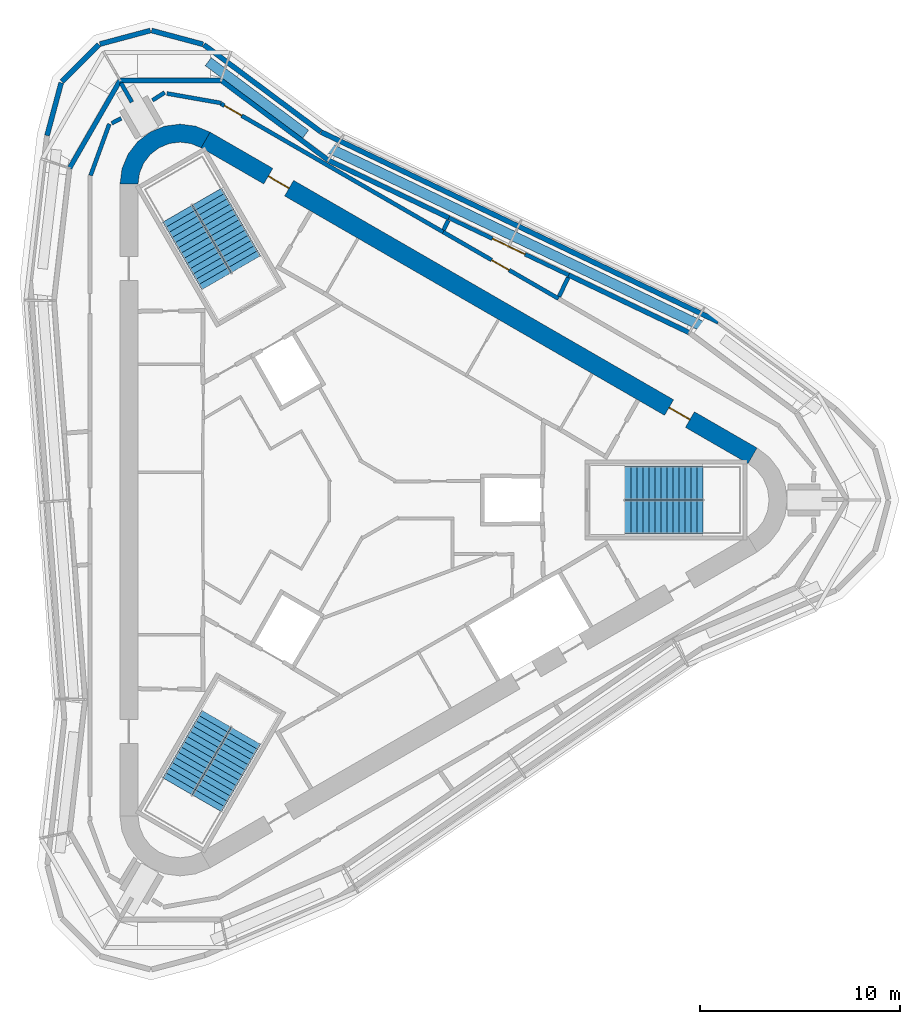
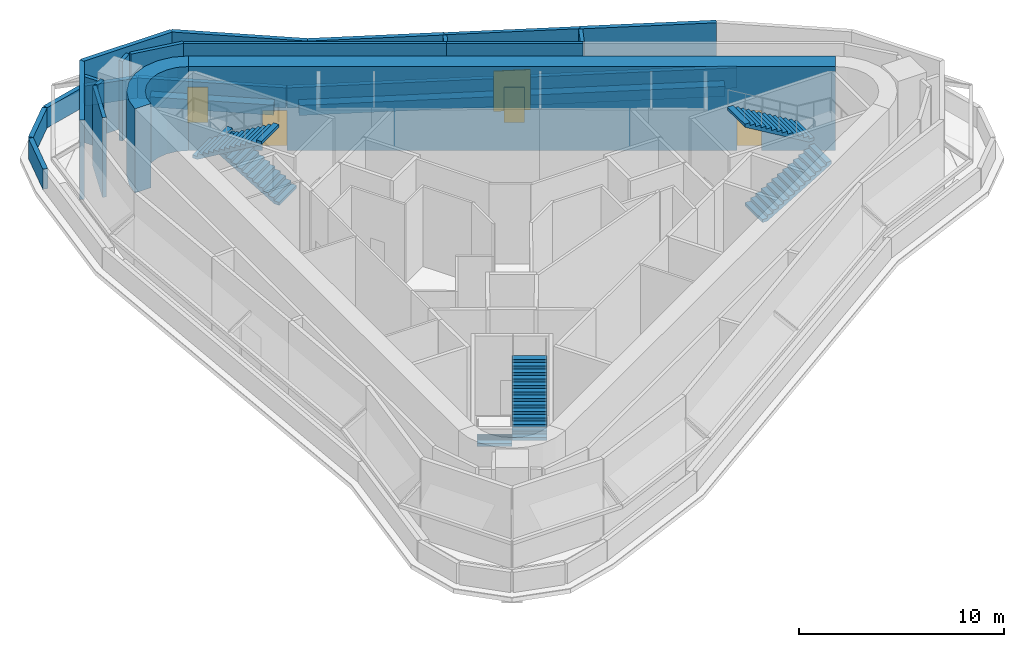
# One storey, part 6 of 7: 25 walls, 6 stair flights, 5 doors, 5 openings, 3 elements without a shape of their own.
"""IFC4 building model written with IfcOpenShell, lengths in metres."""

from ifc_helpers import new_model, si_unit, direction, frame, frame_2d, origin, place, context, subcontext, project, spatial, polyline, rectangle, outline, extrude, material, layer, layer_set, type_object, element, fill, aggregate, save


model = new_model("IFC4")

# Units and contexts
model_context = context("Model", 3, precision=1e-05, world=origin(), true_north=direction((0.0, 1.0)))
body_context = subcontext(model_context, "Body", "Model", "MODEL_VIEW")
ifc_project = project(units=[si_unit("LENGTHUNIT", "METRE"), si_unit("AREAUNIT", "SQUARE_METRE"), si_unit("VOLUMEUNIT", "CUBIC_METRE"), si_unit("PLANEANGLEUNIT", "RADIAN"), si_unit("MASSUNIT", "GRAM", prefix="KILO")], contexts=[model_context])

# Site, building, storey
site_placement = place(None, origin())
site = spatial("IfcSite", under=ifc_project, at=site_placement, CompositionType="ELEMENT")
building_placement = place(site_placement, origin())
building = spatial("IfcBuilding", under=site, at=building_placement, Name="Tanit Gate Tower", CompositionType="ELEMENT")
storey_placement = place(building_placement, frame((0.0, 0.0, 425.300048828125)))
storey = spatial("IfcBuildingStorey", under=building, at=storey_placement, Name="L96", CompositionType="ELEMENT", Elevation=425.300048828125)

# Wall, openings, doors
ifc_material_1 = material(Name="Concrete C40/50", Category="concrete")
ifc_layer_1 = layer(ifc_material_1, 0.89990234375)
ifc_layer_set_1 = layer_set([ifc_layer_1], Name="CORE WALL 900 C40/50")
wall_type_1 = type_object("IfcWallType", Name="CORE WALL 900 C40/50", PredefinedType="SHEAR", material=ifc_layer_set_1)
wall_1_placement = place(storey_placement, frame((19.47509765625, 2.20849609375, 0.0), z_axis=(0.0, 0.0, 1.0), x_axis=(-0.866028369851, 0.499994862586, 0.0)))
wall_1 = element("IfcWall", 1, at=wall_1_placement, inside=storey, type_object=wall_type_1, Name="CORE WALL", PredefinedType="SHEAR", context=body_context, shape_type="SweptSolid", body=[
    extrude(rectangle(XDim=31.523193359375, YDim=0.89990234375, at=frame_2d((15.76171875, 0.0))), origin(), (0.0, 0.0, 1.0), 5.0),
])
opening_1_placement = place(wall_1_placement, frame((3.611572265625, 0.0, 0.0)))
opening_1 = element("IfcOpeningElement", 2, at=opening_1_placement, cuts=wall_1, Name="Opening F12-96-FL1", PredefinedType="OPENING", context=body_context, shape_type="SweptSolid", body=[
    extrude(rectangle(XDim=1.199951171875, YDim=2.39990234375, at=frame_2d((0.60009765625, 1.199951171875))), frame((0.0, 0.4599609375, 0.0), z_axis=(0.0, -1.0, 0.0), x_axis=(1.0, 0.0, 0.0)), (0.0, 0.0, 1.0), 0.919921875),
])
opening_2_placement = place(wall_1_placement, frame((26.711669921875, 0.0, 0.0)))
opening_2 = element("IfcOpeningElement", 3, at=opening_2_placement, cuts=wall_1, Name="Opening F12-96-S2", PredefinedType="OPENING", context=body_context, shape_type="SweptSolid", body=[
    extrude(rectangle(XDim=1.199951171875, YDim=2.39990234375, at=frame_2d((0.60009765625, 1.199951171875))), frame((0.0, 0.4599609375, 0.0), z_axis=(0.0, -1.0, 0.0), x_axis=(1.0, 0.0, 0.0)), (0.0, 0.0, 1.0), 0.919921875),
])
ifc_material_2 = material(Name="Fire-rated steel door leaf", Category="steel")
door_type_1 = type_object("IfcDoorType", Name="INT-DOOR-FIRE-LOBBY-1200", OperationType="NOTDEFINED", PredefinedType="USERDEFINED", material=ifc_material_2)
door_1_placement = place(opening_1_placement, origin())
door_1 = element("IfcDoor", 4, at=door_1_placement, inside=storey, type_object=door_type_1, Name="Door F12-96-FL1", ObjectType="FIRE DOOR", OperationType="SINGLE_SWING_RIGHT", OverallHeight=2.39990234375, OverallWidth=1.199951171875, PredefinedType="USERDEFINED", context=body_context, shape_type="SweptSolid", body=[
    extrude(rectangle(XDim=1.199951171875, YDim=2.39990234375, at=frame_2d((0.60009765625, 1.199951171875))), frame((0.0, 0.02490234375, 0.0), z_axis=(0.0, -1.0, 0.0), x_axis=(1.0, 0.0, 0.0)), (0.0, 0.0, 1.0), 0.050048828125),
])
fill(opening_1, door_1)
door_2_placement = place(opening_2_placement, origin())
door_2 = element("IfcDoor", 5, at=door_2_placement, inside=storey, type_object=door_type_1, Name="Door F12-96-S2", ObjectType="FIRE DOOR", OperationType="SINGLE_SWING_LEFT", OverallHeight=2.39990234375, OverallWidth=1.199951171875, PredefinedType="USERDEFINED", context=body_context, shape_type="SweptSolid", body=[
    extrude(rectangle(XDim=1.199951171875, YDim=2.39990234375, at=frame_2d((0.60009765625, 1.199951171875))), frame((0.0, 0.02490234375, 0.0), z_axis=(0.0, -1.0, 0.0), x_axis=(1.0, 0.0, 0.0)), (0.0, 0.0, 1.0), 0.050048828125),
])
fill(opening_2, door_2)

# Wall
wall_2_placement = place(storey_placement, origin())
element("IfcWall", 6, at=wall_2_placement, inside=storey, type_object=wall_type_1, Name="CORE WALL CORNER", PredefinedType="SHEAR", context=body_context, shape_type="SweptSolid", body=[
    extrude(outline(polyline([(-7.60009765625, 18.359619140625), (-8.323486328125, 18.659423828125), (-9.10009765625, 18.76171875), (-9.87646484375, 18.659423828125), (-10.60009765625, 18.359619140625), (-11.22119140625, 17.883056640625), (-11.697998046875, 17.26171875), (-11.997802734375, 16.5380859375), (-12.10009765625, 15.76171875), (-11.199951171875, 15.76171875), (-11.12841796875, 16.30517578125), (-10.918701171875, 16.811767578125), (-10.5849609375, 17.24658203125), (-10.14990234375, 17.580322265625), (-9.6435546875, 17.7900390625), (-9.10009765625, 17.86181640625), (-8.556396484375, 17.7900390625), (-8.050048828125, 17.580322265625), (-7.60009765625, 18.359619140625)])), origin(), (0.0, 0.0, 1.0), 5.0),
])

# Wall, opening, door
ifc_material_3 = material(Name="Concrete C30/37 rendered", Category="concrete")
ifc_layer_2 = layer(ifc_material_3, 0.199951171875)
ifc_layer_set_2 = layer_set([ifc_layer_2], Name="Facade wall 200 rendered")
wall_type_2 = type_object("IfcWallType", Name="Facade wall 200 rendered", PredefinedType="SOLIDWALL", material=ifc_layer_set_2)
wall_3_placement = place(storey_placement, frame((10.29541015625, 11.22802734375, 0.0), z_axis=(0.0, 0.0, 1.0), x_axis=(-0.902319256172, 0.431068393577, 0.0)))
wall_3 = element("IfcWall", 7, at=wall_3_placement, inside=storey, type_object=wall_type_2, Name="Facade wall L96 NE2.2", PredefinedType="SOLIDWALL", context=body_context, shape_type="SweptSolid", body=[
    extrude(rectangle(XDim=6.628662109375, YDim=0.199951171875, at=frame_2d((3.314453125, 0.0))), origin(), (0.0, 0.0, 1.0), 4.75),
])
opening_3_placement = place(wall_3_placement, frame((2.414306640625, 0.0, 0.0)))
opening_3 = element("IfcOpeningElement", 8, at=opening_3_placement, cuts=wall_3, Name="Opening D2", PredefinedType="OPENING", context=body_context, shape_type="SweptSolid", body=[
    extrude(rectangle(XDim=1.800048828125, YDim=2.39990234375, at=frame_2d((0.89990234375, 1.199951171875))), frame((0.0, 0.10986328125, 0.0), z_axis=(0.0, -1.0, 0.0), x_axis=(1.0, 0.0, 0.0)), (0.0, 0.0, 1.0), 0.219970703125),
])
ifc_material_4 = material(Name="Aluminium bronze anodised and glass", Category="aluminium")
door_type_2 = type_object("IfcDoorType", Name="Terrace door double 1800x2400", OperationType="DOUBLE_DOOR_SINGLE_SWING", PredefinedType="DOOR", material=ifc_material_4)
door_3_placement = place(opening_3_placement, frame((1.800048828125, 0.0, 0.0), z_axis=(0.0, 0.0, 1.0), x_axis=(-1.0, 0.0, 0.0)))
door_3 = element("IfcDoor", 9, at=door_3_placement, inside=storey, type_object=door_type_2, Name="Terrace door", OperationType="SINGLE_SWING_RIGHT", OverallHeight=2.39990234375, OverallWidth=1.800048828125, PredefinedType="DOOR", context=body_context, shape_type="SweptSolid", body=[
    extrude(rectangle(XDim=1.800048828125, YDim=2.39990234375, at=frame_2d((0.89990234375, 1.199951171875))), frame((0.0, 0.02490234375, 0.0), z_axis=(0.0, -1.0, 0.0), x_axis=(1.0, 0.0, 0.0)), (0.0, 0.0, 1.0), 0.050048828125),
])
fill(opening_3, door_3)

# Walls
ifc_material_5 = material(Name="Concrete C30/37 with bronze anodised aluminium cladding", Category="concrete")
ifc_layer_3 = layer(ifc_material_5, 0.239990234375)
ifc_layer_set_3 = layer_set([ifc_layer_3], Name="Facade wall bronze clad 240")
wall_type_3 = type_object("IfcWallType", Name="Facade wall bronze clad 240", PredefinedType="SOLIDWALL", material=ifc_layer_set_3)
wall_4_placement = place(storey_placement, frame((16.3125, 8.353271484375, 0.0), z_axis=(0.0, 0.0, 1.0), x_axis=(-0.902308246331, 0.431091438795, 0.0)))
element("IfcWall", 10, at=wall_4_placement, inside=storey, type_object=wall_type_3, Name="Bronze-clad facade wall L96 NE2a", PredefinedType="SOLIDWALL", context=body_context, shape_type="SweptSolid", body=[
    extrude(rectangle(XDim=6.66845703125, YDim=0.239990234375, at=frame_2d((3.334228515625, 0.0))), origin(), (0.0, 0.0, 1.0), 4.75),
])
wall_5_placement = place(storey_placement, frame((4.314208984375, 14.08544921875, 0.0), z_axis=(0.0, 0.0, 1.0), x_axis=(-0.902315049727, 0.431077198464, 0.0)))
element("IfcWall", 11, at=wall_5_placement, inside=storey, type_object=wall_type_3, Name="Bronze-clad facade wall L96 NE2b", PredefinedType="SOLIDWALL", context=body_context, shape_type="SweptSolid", body=[
    extrude(rectangle(XDim=6.668701171875, YDim=0.239990234375, at=frame_2d((3.33447265625, 0.0))), origin(), (0.0, 0.0, 1.0), 4.75),
])
wall_6_placement = place(storey_placement, frame((-1.703125, 16.960205078125, 0.0), z_axis=(0.0, 0.0, 1.0), x_axis=(-0.801994232546, 0.597331776288, 0.0)))
element("IfcWall", 12, at=wall_6_placement, inside=storey, type_object=wall_type_3, Name="Bronze-clad facade wall L96 NE3", PredefinedType="SOLIDWALL", context=body_context, shape_type="SweptSolid", body=[
    extrude(rectangle(XDim=6.66943359375, YDim=0.239990234375, at=frame_2d((3.334716796875, 0.0))), origin(), (0.0, 0.0, 1.0), 4.75),
])
wall_7_placement = place(storey_placement, frame((-7.052001953125, 20.944091796875, 0.0), z_axis=(0.0, 0.0, 1.0), x_axis=(-0.999999905024, 0.00043583531, 0.0)))
element("IfcWall", 13, at=wall_7_placement, inside=storey, type_object=wall_type_3, Name="Bronze-clad facade wall L96 NW.arc1", PredefinedType="SOLIDWALL", context=body_context, shape_type="SweptSolid", body=[
    extrude(rectangle(XDim=5.04150390625, YDim=0.239990234375, at=frame_2d((2.520751953125, 0.0))), origin(), (0.0, 0.0, 1.0), 4.75),
])
wall_8_placement = place(storey_placement, frame((-12.093505859375, 20.9462890625, 0.0), z_axis=(0.0, 0.0, 1.0), x_axis=(-0.498950155725, -0.866630683799, 0.0)))
element("IfcWall", 14, at=wall_8_placement, inside=storey, type_object=wall_type_3, Name="Bronze-clad facade wall L96 NW.arc2", PredefinedType="SOLIDWALL", context=body_context, shape_type="SweptSolid", body=[
    extrude(rectangle(XDim=5.054931640625, YDim=0.239990234375, at=frame_2d((2.52734375, 0.0))), origin(), (0.0, 0.0, 1.0), 4.75),
])
ifc_material_6 = material(Name="Fire-rated gypsum board partition")
ifc_layer_4 = layer(ifc_material_6, 0.199951171875)
ifc_layer_set_4 = layer_set([ifc_layer_4], Name="INT-WALL-COMPARTMENT")
wall_type_4 = type_object("IfcWallType", Name="INT-WALL-COMPARTMENT", PredefinedType="PARTITIONING", material=ifc_layer_set_4)
wall_9_placement = place(storey_placement, frame((-12.6298828125, 18.771240234375, 0.0), z_axis=(0.0, 0.0, 1.0), x_axis=(-0.342015224264, -0.939694411163, 0.0)))
element("IfcWall", 15, at=wall_9_placement, inside=storey, type_object=wall_type_4, Name="Wall Compartment W091", PredefinedType="PARTITIONING", context=body_context, shape_type="SweptSolid", body=[
    extrude(rectangle(XDim=2.73681640625, YDim=0.199951171875, at=frame_2d((1.368408203125, 0.0))), origin(), (0.0, 0.0, 1.0), 4.75),
])
wall_10_placement = place(storey_placement, frame((-12.03759765625, 19.049560546875, 0.0), z_axis=(0.0, 0.0, 1.0), x_axis=(-0.887186880255, -0.461410272429, 0.0)))
element("IfcWall", 16, at=wall_10_placement, inside=storey, type_object=wall_type_4, Name="Wall Compartment W092", PredefinedType="PARTITIONING", context=body_context, shape_type="SweptSolid", body=[
    extrude(rectangle(XDim=0.534423828125, YDim=0.199951171875, at=frame_2d((0.26708984375, 0.0))), origin(), (0.0, 0.0, 1.0), 4.75),
])
wall_11_placement = place(storey_placement, frame((-11.50146484375, 19.861083984375, 0.0), z_axis=(0.0, 0.0, 1.0), x_axis=(-0.500107244371, 0.865963477364, 0.0)))
element("IfcWall", 17, at=wall_11_placement, inside=storey, type_object=wall_type_4, Name="Wall Compartment W099", PredefinedType="PARTITIONING", context=body_context, shape_type="SweptSolid", body=[
    extrude(rectangle(XDim=1.098388671875, YDim=0.199951171875, at=frame_2d((0.54931640625, 0.0))), origin(), (0.0, 0.0, 1.0), 3.929931640625),
])

# Wall, opening, door
wall_12_placement = place(storey_placement, frame((9.792236328125, 10.05029296875, 0.0), z_axis=(0.0, 0.0, 1.0), x_axis=(-0.866022320763, 0.500005339912, 0.0)))
wall_12 = element("IfcWall", 18, at=wall_12_placement, inside=storey, type_object=wall_type_4, Name="Wall Compartment W105", PredefinedType="PARTITIONING", context=body_context, shape_type="SweptSolid", body=[
    extrude(rectangle(XDim=6.64892578125, YDim=0.199951171875, at=frame_2d((3.324462890625, 0.0))), origin(), (0.0, 0.0, 1.0), 4.75),
])
opening_4_placement = place(wall_12_placement, frame((2.856201171875, 0.0, 0.0)))
opening_4 = element("IfcOpeningElement", 19, at=opening_4_placement, cuts=wall_12, Name="Opening F10-96-28", PredefinedType="OPENING", context=body_context, shape_type="SweptSolid", body=[
    extrude(rectangle(XDim=1.0, YDim=2.10009765625, at=frame_2d((0.5, 1.050048828125))), frame((0.0, 0.10986328125, 0.0), z_axis=(0.0, -1.0, 0.0), x_axis=(1.0, 0.0, 0.0)), (0.0, 0.0, 1.0), 0.219970703125),
])
ifc_material_7 = material(Name="Fire-rated steel door leaf", Category="steel")
door_type_3 = type_object("IfcDoorType", Name="INT-DOOR-FIRE-1000", OperationType="NOTDEFINED", PredefinedType="USERDEFINED", material=ifc_material_7)
door_4_placement = place(opening_4_placement, origin())
door_4 = element("IfcDoor", 20, at=door_4_placement, inside=storey, type_object=door_type_3, Name="Door F10-96-28", ObjectType="FIRE DOOR", OperationType="SINGLE_SWING_LEFT", OverallHeight=2.10009765625, OverallWidth=1.0, PredefinedType="USERDEFINED", context=body_context, shape_type="SweptSolid", body=[
    extrude(rectangle(XDim=1.0, YDim=2.10009765625, at=frame_2d((0.5, 1.050048828125))), frame((0.0, 0.02490234375, 0.0), z_axis=(0.0, -1.0, 0.0), x_axis=(1.0, 0.0, 0.0)), (0.0, 0.0, 1.0), 0.050048828125),
])
fill(opening_4, door_4)

wall_13_placement = place(storey_placement, frame((4.0341796875, 13.374755859375, 0.0), z_axis=(0.0, 0.0, 1.0), x_axis=(-0.866024064453, 0.500002319783, 0.0)))
wall_13 = element("IfcWall", 21, at=wall_13_placement, inside=storey, type_object=wall_type_4, Name="Wall Compartment W108", PredefinedType="PARTITIONING", context=body_context, shape_type="SweptSolid", body=[
    extrude(rectangle(XDim=12.81201171875, YDim=0.199951171875, at=frame_2d((6.406005859375, 0.0))), origin(), (0.0, 0.0, 1.0), 4.75),
])
opening_5_placement = place(wall_13_placement, frame((11.61181640625, 0.0, 0.0)))
opening_5 = element("IfcOpeningElement", 22, at=opening_5_placement, cuts=wall_13, Name="Opening F10-96-29", PredefinedType="OPENING", context=body_context, shape_type="SweptSolid", body=[
    extrude(rectangle(XDim=1.0, YDim=2.10009765625, at=frame_2d((0.5, 1.050048828125))), frame((0.0, 0.10986328125, 0.0), z_axis=(0.0, -1.0, 0.0), x_axis=(1.0, 0.0, 0.0)), (0.0, 0.0, 1.0), 0.219970703125),
])
door_5_placement = place(opening_5_placement, origin())
door_5 = element("IfcDoor", 23, at=door_5_placement, inside=storey, type_object=door_type_3, Name="Door F10-96-29", ObjectType="FIRE DOOR", OperationType="SINGLE_SWING_RIGHT", OverallHeight=2.10009765625, OverallWidth=1.0, PredefinedType="USERDEFINED", context=body_context, shape_type="SweptSolid", body=[
    extrude(rectangle(XDim=1.0, YDim=2.10009765625, at=frame_2d((0.5, 1.050048828125))), frame((0.0, 0.02490234375, 0.0), z_axis=(0.0, -1.0, 0.0), x_axis=(1.0, 0.0, 0.0)), (0.0, 0.0, 1.0), 0.050048828125),
])
fill(opening_5, door_5)

# Walls
wall_14_placement = place(storey_placement, frame((-9.870361328125, 20.33740234375, 0.0), z_axis=(0.0, 0.0, 1.0), x_axis=(-0.843326891705, -0.537400924569, 0.0)))
element("IfcWall", 24, at=wall_14_placement, inside=storey, type_object=wall_type_4, Name="Wall Compartment W106", PredefinedType="PARTITIONING", context=body_context, shape_type="SweptSolid", body=[
    extrude(rectangle(XDim=0.721435546875, YDim=0.199951171875, at=frame_2d((0.36083984375, 0.0))), origin(), (0.0, 0.0, 1.0), 4.75),
])
wall_15_placement = place(storey_placement, frame((-7.04931640625, 19.813232421875, 0.0), z_axis=(0.0, 0.0, 1.0), x_axis=(-0.984805002764, 0.173663774378, 0.0)))
element("IfcWall", 25, at=wall_15_placement, inside=storey, type_object=wall_type_4, Name="Wall Compartment W107", PredefinedType="PARTITIONING", context=body_context, shape_type="SweptSolid", body=[
    extrude(rectangle(XDim=2.749755859375, YDim=0.199951171875, at=frame_2d((1.375, 0.0))), origin(), (0.0, 0.0, 1.0), 4.75),
])
wall_16_placement = place(storey_placement, frame((10.2685546875, 11.102294921875, 0.0), z_axis=(0.0, 0.0, 1.0), x_axis=(-0.431274891071, -0.902220576318, 0.0)))
element("IfcWall", 26, at=wall_16_placement, inside=storey, type_object=wall_type_4, Name="Wall Compartment W109", PredefinedType="PARTITIONING", context=body_context, shape_type="SweptSolid", body=[
    extrude(rectangle(XDim=1.05224609375, YDim=0.199951171875, at=frame_2d((0.526123046875, 0.0))), origin(), (0.0, 0.0, 1.0), 4.75),
])
wall_17_placement = place(storey_placement, frame((4.056640625, 13.477294921875, 0.0), z_axis=(0.0, 0.0, 1.0), x_axis=(0.431439342404, 0.902141947714, 0.0)))
element("IfcWall", 27, at=wall_17_placement, inside=storey, type_object=wall_type_4, Name="Wall Compartment W111", PredefinedType="PARTITIONING", context=body_context, shape_type="SweptSolid", body=[
    extrude(rectangle(XDim=0.53466796875, YDim=0.199951171875, at=frame_2d((0.267333984375, 0.0))), origin(), (0.0, 0.0, 1.0), 4.75),
])
ifc_material_8 = material(Name="Concrete C30/37", Category="concrete")
ifc_layer_5 = layer(ifc_material_8, 0.25)
ifc_layer_set_5 = layer_set([ifc_layer_5], Name="Parapet wall 250")
wall_type_5 = type_object("IfcWallType", Name="Parapet wall 250", PredefinedType="PARAPET", material=ifc_layer_set_5)
wall_18_placement = place(storey_placement, frame((-15.7392578125, 18.191162109375, 0.0400390625), z_axis=(0.0, 0.0, 1.0), x_axis=(0.2587987075, 0.965931275504, 0.0)))
element("IfcWall", 28, at=wall_18_placement, inside=storey, type_object=wall_type_5, Name="Terrace parapet L96 15", PredefinedType="PARAPET", context=body_context, shape_type="SweptSolid", body=[
    extrude(rectangle(XDim=2.728271484375, YDim=0.25, at=frame_2d((1.3642578125, 0.0))), origin(), (0.0, 0.0, 1.0), 1.199951171875),
])
wall_19_placement = place(storey_placement, frame((-15.000732421875, 20.882568359375, 0.0400390625), z_axis=(0.0, 0.0, 1.0), x_axis=(0.707106781187, 0.707106781187, 0.0)))
element("IfcWall", 29, at=wall_19_placement, inside=storey, type_object=wall_type_5, Name="Terrace parapet L96 16", PredefinedType="PARAPET", context=body_context, shape_type="SweptSolid", body=[
    extrude(rectangle(XDim=2.60595703125, YDim=0.25, at=frame_2d((1.302978515625, 0.0))), origin(), (0.0, 0.0, 1.0), 1.199951171875),
])
wall_20_placement = place(storey_placement, frame((-13.101806640625, 22.7578125, 0.0400390625), z_axis=(0.0, 0.0, 1.0), x_axis=(0.965921707186, 0.258834417317, 0.0)))
element("IfcWall", 30, at=wall_20_placement, inside=storey, type_object=wall_type_5, Name="Terrace parapet L96 17", PredefinedType="PARAPET", context=body_context, shape_type="SweptSolid", body=[
    extrude(rectangle(XDim=2.606201171875, YDim=0.25, at=frame_2d((1.30322265625, 0.0))), origin(), (0.0, 0.0, 1.0), 1.199951171875),
])
wall_21_placement = place(storey_placement, frame((-10.519775390625, 23.432373046875, 0.0400390625), z_axis=(0.0, 0.0, 1.0), x_axis=(0.965919719913, -0.258841833333, 0.0)))
element("IfcWall", 31, at=wall_21_placement, inside=storey, type_object=wall_type_5, Name="Terrace parapet L96 18", PredefinedType="PARAPET", context=body_context, shape_type="SweptSolid", body=[
    extrude(rectangle(XDim=2.654296875, YDim=0.25, at=frame_2d((1.3271484375, 0.0))), origin(), (0.0, 0.0, 1.0), 1.199951171875),
])
wall_22_placement = place(storey_placement, frame((-7.913818359375, 22.724853515625, 0.0400390625), z_axis=(0.0, 0.0, 1.0), x_axis=(0.801984295915, -0.597345117253, 0.0)))
element("IfcWall", 32, at=wall_22_placement, inside=storey, type_object=wall_type_5, Name="Terrace parapet L96 19", PredefinedType="PARAPET", context=body_context, shape_type="SweptSolid", body=[
    extrude(rectangle(XDim=7.277587890625, YDim=0.25, at=frame_2d((3.638671875, 0.0))), origin(), (0.0, 0.0, 1.0), 1.199951171875),
])
wall_23_placement = place(storey_placement, frame((-2.056640625, 18.365234375, 0.0400390625), z_axis=(0.0, 0.0, 1.0), x_axis=(0.90231764466, -0.431071766804, 0.0)))
element("IfcWall", 33, at=wall_23_placement, inside=storey, type_object=wall_type_5, Name="Terrace parapet L96 20", PredefinedType="PARAPET", context=body_context, shape_type="SweptSolid", body=[
    extrude(rectangle(XDim=21.974609375, YDim=0.25, at=frame_2d((10.9873046875, 0.0))), origin(), (0.0, 0.0, 1.0), 1.199951171875),
])
ifc_material_9 = material(Name="Concrete C30/37", Category="concrete")
ifc_layer_6 = layer(ifc_material_9, 0.5)
ifc_layer_set_6 = layer_set([ifc_layer_6], Name="Planter box 600")
wall_type_6 = type_object("IfcWallType", Name="Planter box 600", PredefinedType="PARAPET", material=ifc_layer_set_6)
wall_24_placement = place(storey_placement, frame((-7.69580078125, 21.876708984375, 0.0400390625), z_axis=(0.0, 0.0, 1.0), x_axis=(0.801981944101, -0.597348274741, 0.0)))
element("IfcWall", 34, at=wall_24_placement, inside=storey, type_object=wall_type_6, Name="PLANTER", PredefinedType="PARAPET", context=body_context, shape_type="SweptSolid", body=[
    extrude(rectangle(XDim=6.06201171875, YDim=0.5, at=frame_2d((3.031005859375, 0.0))), origin(), (0.0, 0.0, 1.0), 0.599853515625),
])
wall_25_placement = place(storey_placement, frame((-1.8115234375, 17.638671875, 0.0400390625), z_axis=(0.0, 0.0, 1.0), x_axis=(0.902316498724, -0.431074165463, 0.0)))
element("IfcWall", 35, at=wall_25_placement, inside=storey, type_object=wall_type_6, Name="PLANTER", PredefinedType="PARAPET", context=body_context, shape_type="SweptSolid", body=[
    extrude(rectangle(XDim=20.798828125, YDim=0.5, at=frame_2d((10.3994140625, 0.0))), origin(), (0.0, 0.0, 1.0), 0.599853515625),
])

# Stair, stair flights
ifc_material_10 = material(Name="Concrete C40/50", Category="concrete")
stair_type = type_object("IfcStairType", Name="INT-STAIR-EXIT", PredefinedType="HALF_TURN_STAIR", material=ifc_material_10)
stair_1_placement = place(storey_placement, origin())
stair_1 = element("IfcStair", 36, at=stair_1_placement, inside=storey, type_object=stair_type, Name="L96 STAIR S1", PredefinedType="HALF_TURN_STAIR")
ifc_material_11 = material(Name="Concrete C40/50", Category="concrete")
stair_flight_type = type_object("IfcStairFlightType", Name="INT-STAIR-FLIGHT", PredefinedType="STRAIGHT", material=ifc_material_11)
stair_flight_1_placement = place(storey_placement, frame((13.094970703125, -0.8525390625, 0.0), z_axis=(0.0, 0.0, 1.0), x_axis=(1.0, 0.0, 0.0)))
stair_flight_1 = element("IfcStairFlight", 37, at=stair_flight_1_placement, type_object=stair_flight_type, Name="S1 flight 1", NumberOfRisers=14, NumberOfTreads=13, PredefinedType="STRAIGHT", RiserHeight=0.178571429, TreadLength=0.3, context=body_context, shape_type="SweptSolid", body=[
    extrude(outline(polyline([(0.0, 0.0), (0.0, 0.178466796875), (0.300048828125, 0.178466796875), (0.300048828125, 0.357177734375), (0.60009765625, 0.357177734375), (0.60009765625, 0.53564453125), (0.89990234375, 0.53564453125), (0.89990234375, 0.71435546875), (1.199951171875, 0.71435546875), (1.199951171875, 0.892822265625), (1.5, 0.892822265625), (1.5, 1.071533203125), (1.800048828125, 1.071533203125), (1.800048828125, 1.25), (2.10009765625, 1.25), (2.10009765625, 1.428466796875), (2.39990234375, 1.428466796875), (2.39990234375, 1.607177734375), (2.699951171875, 1.607177734375), (2.699951171875, 1.78564453125), (3.0, 1.78564453125), (3.0, 1.96435546875), (3.300048828125, 1.96435546875), (3.300048828125, 2.142822265625), (3.60009765625, 2.142822265625), (3.60009765625, 2.321533203125), (3.89990234375, 2.321533203125), (3.89990234375, 2.5), (3.89990234375, 2.14697265625), (0.29296875, 0.0), (0.0, 0.0)])), frame((0.0, 0.84765625, 0.0), z_axis=(0.0, -1.0, 0.0), x_axis=(1.0, 0.0, 0.0)), (0.0, 0.0, 1.0), 1.695068359375),
])
stair_flight_2_placement = place(storey_placement, frame((16.9951171875, 0.8525390625, 2.5), z_axis=(0.0, 0.0, 1.0), x_axis=(-1.0, 0.0, 0.0)))
stair_flight_2 = element("IfcStairFlight", 38, at=stair_flight_2_placement, type_object=stair_flight_type, Name="S1 flight 2", NumberOfRisers=14, NumberOfTreads=13, PredefinedType="STRAIGHT", RiserHeight=0.178571429, TreadLength=0.3, context=body_context, shape_type="SweptSolid", body=[
    extrude(outline(polyline([(0.0, 0.0), (0.0, 0.178466796875), (0.300048828125, 0.178466796875), (0.300048828125, 0.357177734375), (0.60009765625, 0.357177734375), (0.60009765625, 0.53564453125), (0.89990234375, 0.53564453125), (0.89990234375, 0.71435546875), (1.199951171875, 0.71435546875), (1.199951171875, 0.892822265625), (1.5, 0.892822265625), (1.5, 1.071533203125), (1.800048828125, 1.071533203125), (1.800048828125, 1.25), (2.10009765625, 1.25), (2.10009765625, 1.428466796875), (2.39990234375, 1.428466796875), (2.39990234375, 1.607177734375), (2.699951171875, 1.607177734375), (2.699951171875, 1.78564453125), (3.0, 1.78564453125), (3.0, 1.96435546875), (3.300048828125, 1.96435546875), (3.300048828125, 2.142822265625), (3.60009765625, 2.142822265625), (3.60009765625, 2.321533203125), (3.89990234375, 2.321533203125), (3.89990234375, 2.5), (3.89990234375, 2.14697265625), (0.29296875, 0.0), (0.0, 0.0)])), frame((0.0, 0.84765625, 0.0), z_axis=(0.0, -1.0, 0.0), x_axis=(1.0, 0.0, 0.0)), (0.0, 0.0, 1.0), 1.695068359375),
])
aggregate(stair_1, [stair_flight_1, stair_flight_2])

stair_2_placement = place(storey_placement, origin())
stair_2 = element("IfcStair", 39, at=stair_2_placement, inside=storey, type_object=stair_type, Name="L96 STAIR S2", PredefinedType="HALF_TURN_STAIR")
stair_flight_3_placement = place(storey_placement, frame((-5.808349609375, 11.766357421875, 0.0), z_axis=(0.0, 0.0, 1.0), x_axis=(-0.5, 0.866025403784, 0.0)))
stair_flight_3 = element("IfcStairFlight", 40, at=stair_flight_3_placement, type_object=stair_flight_type, Name="S2 flight 1", NumberOfRisers=14, NumberOfTreads=13, PredefinedType="STRAIGHT", RiserHeight=0.178571429, TreadLength=0.3, context=body_context, shape_type="SweptSolid", body=[
    extrude(outline(polyline([(0.0, 0.0), (0.0, 0.178466796875), (0.300048828125, 0.178466796875), (0.300048828125, 0.357177734375), (0.60009765625, 0.357177734375), (0.60009765625, 0.53564453125), (0.89990234375, 0.53564453125), (0.89990234375, 0.71435546875), (1.199951171875, 0.71435546875), (1.199951171875, 0.892822265625), (1.5, 0.892822265625), (1.5, 1.071533203125), (1.800048828125, 1.071533203125), (1.800048828125, 1.25), (2.10009765625, 1.25), (2.10009765625, 1.428466796875), (2.39990234375, 1.428466796875), (2.39990234375, 1.607177734375), (2.699951171875, 1.607177734375), (2.699951171875, 1.78564453125), (3.0, 1.78564453125), (3.0, 1.96435546875), (3.300048828125, 1.96435546875), (3.300048828125, 2.142822265625), (3.60009765625, 2.142822265625), (3.60009765625, 2.321533203125), (3.89990234375, 2.321533203125), (3.89990234375, 2.5), (3.89990234375, 2.14697265625), (0.29296875, 0.0), (0.0, 0.0)])), frame((0.0, 0.84716796875, 0.0), z_axis=(0.0, -1.0, 0.0), x_axis=(1.0, 0.0, 0.0)), (0.0, 0.0, 1.0), 1.694091796875),
])
stair_flight_4_placement = place(storey_placement, frame((-9.23583984375, 14.290771484375, 2.5), z_axis=(0.0, 0.0, 1.0), x_axis=(0.5, -0.866025403784, 0.0)))
stair_flight_4 = element("IfcStairFlight", 41, at=stair_flight_4_placement, type_object=stair_flight_type, Name="S2 flight 2", NumberOfRisers=14, NumberOfTreads=13, PredefinedType="STRAIGHT", RiserHeight=0.178571429, TreadLength=0.3, context=body_context, shape_type="SweptSolid", body=[
    extrude(outline(polyline([(0.0, 0.0), (0.0, 0.178466796875), (0.300048828125, 0.178466796875), (0.300048828125, 0.357177734375), (0.60009765625, 0.357177734375), (0.60009765625, 0.53564453125), (0.89990234375, 0.53564453125), (0.89990234375, 0.71435546875), (1.199951171875, 0.71435546875), (1.199951171875, 0.892822265625), (1.5, 0.892822265625), (1.5, 1.071533203125), (1.800048828125, 1.071533203125), (1.800048828125, 1.25), (2.10009765625, 1.25), (2.10009765625, 1.428466796875), (2.39990234375, 1.428466796875), (2.39990234375, 1.607177734375), (2.699951171875, 1.607177734375), (2.699951171875, 1.78564453125), (3.0, 1.78564453125), (3.0, 1.96435546875), (3.300048828125, 1.96435546875), (3.300048828125, 2.142822265625), (3.60009765625, 2.142822265625), (3.60009765625, 2.321533203125), (3.89990234375, 2.321533203125), (3.89990234375, 2.5), (3.89990234375, 2.14697265625), (0.29296875, 0.0), (0.0, 0.0)])), frame((0.0, 0.84716796875, 0.0), z_axis=(0.0, -1.0, 0.0), x_axis=(1.0, 0.0, 0.0)), (0.0, 0.0, 1.0), 1.694091796875),
])
aggregate(stair_2, [stair_flight_3, stair_flight_4])

stair_3_placement = place(storey_placement, origin())
stair_3 = element("IfcStair", 42, at=stair_3_placement, inside=storey, type_object=stair_type, Name="L96 STAIR S3", PredefinedType="HALF_TURN_STAIR")
stair_flight_5_placement = place(storey_placement, frame((-7.285888671875, -10.914306640625, 0.0), z_axis=(0.0, 0.0, 1.0), x_axis=(-0.5, -0.866025403784, 0.0)))
stair_flight_5 = element("IfcStairFlight", 43, at=stair_flight_5_placement, type_object=stair_flight_type, Name="S3 flight 1", NumberOfRisers=14, NumberOfTreads=13, PredefinedType="STRAIGHT", RiserHeight=0.178571429, TreadLength=0.3, context=body_context, shape_type="SweptSolid", body=[
    extrude(outline(polyline([(0.0, 0.0), (0.0, 0.178466796875), (0.300048828125, 0.178466796875), (0.300048828125, 0.357177734375), (0.60009765625, 0.357177734375), (0.60009765625, 0.53564453125), (0.89990234375, 0.53564453125), (0.89990234375, 0.71435546875), (1.199951171875, 0.71435546875), (1.199951171875, 0.892822265625), (1.5, 0.892822265625), (1.5, 1.071533203125), (1.800048828125, 1.071533203125), (1.800048828125, 1.25), (2.10009765625, 1.25), (2.10009765625, 1.428466796875), (2.39990234375, 1.428466796875), (2.39990234375, 1.607177734375), (2.699951171875, 1.607177734375), (2.699951171875, 1.78564453125), (3.0, 1.78564453125), (3.0, 1.96435546875), (3.300048828125, 1.96435546875), (3.300048828125, 2.142822265625), (3.60009765625, 2.142822265625), (3.60009765625, 2.321533203125), (3.89990234375, 2.321533203125), (3.89990234375, 2.5), (3.89990234375, 2.14697265625), (0.29296875, 0.0), (0.0, 0.0)])), frame((0.0, 0.84765625, 0.0), z_axis=(0.0, -1.0, 0.0), x_axis=(1.0, 0.0, 0.0)), (0.0, 0.0, 1.0), 1.695068359375),
])
stair_flight_6_placement = place(storey_placement, frame((-7.75927734375, -15.144287109375, 2.5), z_axis=(0.0, 0.0, 1.0), x_axis=(0.5, 0.866025403784, 0.0)))
stair_flight_6 = element("IfcStairFlight", 44, at=stair_flight_6_placement, type_object=stair_flight_type, Name="S3 flight 2", NumberOfRisers=14, NumberOfTreads=13, PredefinedType="STRAIGHT", RiserHeight=0.178571429, TreadLength=0.3, context=body_context, shape_type="SweptSolid", body=[
    extrude(outline(polyline([(0.0, 0.0), (0.0, 0.178466796875), (0.300048828125, 0.178466796875), (0.300048828125, 0.357177734375), (0.60009765625, 0.357177734375), (0.60009765625, 0.53564453125), (0.89990234375, 0.53564453125), (0.89990234375, 0.71435546875), (1.199951171875, 0.71435546875), (1.199951171875, 0.892822265625), (1.5, 0.892822265625), (1.5, 1.071533203125), (1.800048828125, 1.071533203125), (1.800048828125, 1.25), (2.10009765625, 1.25), (2.10009765625, 1.428466796875), (2.39990234375, 1.428466796875), (2.39990234375, 1.607177734375), (2.699951171875, 1.607177734375), (2.699951171875, 1.78564453125), (3.0, 1.78564453125), (3.0, 1.96435546875), (3.300048828125, 1.96435546875), (3.300048828125, 2.142822265625), (3.60009765625, 2.142822265625), (3.60009765625, 2.321533203125), (3.89990234375, 2.321533203125), (3.89990234375, 2.5), (3.89990234375, 2.14697265625), (0.29296875, 0.0), (0.0, 0.0)])), frame((0.0, 0.84765625, 0.0), z_axis=(0.0, -1.0, 0.0), x_axis=(1.0, 0.0, 0.0)), (0.0, 0.0, 1.0), 1.695068359375),
])
aggregate(stair_3, [stair_flight_5, stair_flight_6])

save(model, "model.ifc")
